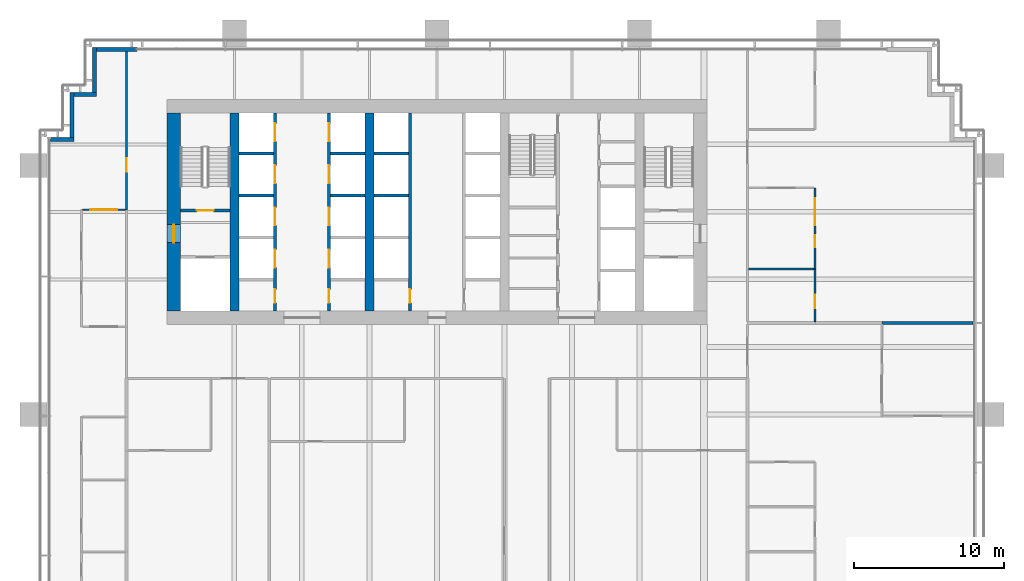
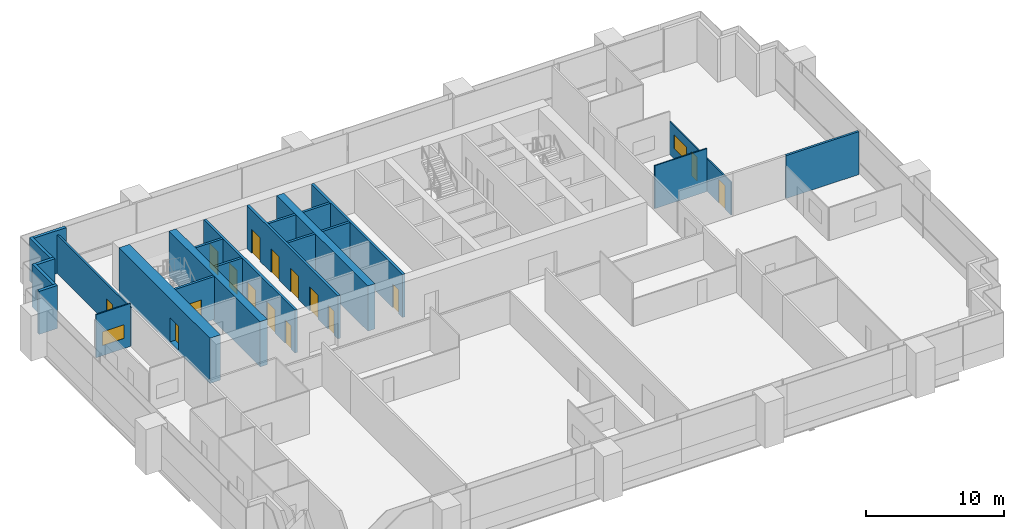
# One storey, part 14 of 19: 24 walls, 16 doors, 2 windows, 18 openings.
"""IFC4 building model written with IfcOpenShell, lengths in metres."""

from ifc_helpers import new_model, si_unit, direction, frame, frame_2d, origin, place, context, subcontext, project, spatial, rectangle, extrude, material, layer, layer_set, type_object, element, fill, save


model = new_model("IFC4")

# Units and contexts
model_context = context("Model", 3, precision=1e-05, world=origin(), true_north=direction((0.0, 1.0)))
body_context = subcontext(model_context, "Body", "Model", "MODEL_VIEW")
ifc_project = project(units=[si_unit("LENGTHUNIT", "METRE"), si_unit("AREAUNIT", "SQUARE_METRE"), si_unit("VOLUMEUNIT", "CUBIC_METRE"), si_unit("PLANEANGLEUNIT", "RADIAN"), si_unit("MASSUNIT", "GRAM", prefix="KILO")], contexts=[model_context])

# Site, building, storey
site_placement = place(None, origin())
site = spatial("IfcSite", under=ifc_project, at=site_placement, CompositionType="ELEMENT")
building_placement = place(site_placement, origin())
building = spatial("IfcBuilding", under=site, at=building_placement, Name="Rattan Terrace Tower", CompositionType="ELEMENT")
storey_placement = place(building_placement, frame((0.0, 0.0, 99.699951171875)))
storey = spatial("IfcBuildingStorey", under=building, at=storey_placement, Name="L22", CompositionType="ELEMENT", Elevation=99.699951171875)

# Wall, opening, door
ifc_material_1 = material(Name="Gypsum board partition")
ifc_layer_1 = layer(ifc_material_1, 0.199951171875)
ifc_layer_set_1 = layer_set([ifc_layer_1], Name="Core partition 200")
wall_type_1 = type_object("IfcWallType", Name="Core partition 200", PredefinedType="PARTITIONING", material=ifc_layer_set_1)
wall_1_placement = place(storey_placement, frame((-17.10009765625, 0.10009765625, 0.0), z_axis=(0.0, 0.0, 1.0), x_axis=(1.0, 0.0, 0.0)))
wall_1 = element("IfcWall", 1, at=wall_1_placement, inside=storey, type_object=wall_type_1, Name="Stair enclosure wall", PredefinedType="PARTITIONING", context=body_context, shape_type="SweptSolid", body=[
    extrude(rectangle(XDim=3.300048828125, YDim=0.199951171875, at=frame_2d((1.64990234375, 0.0))), origin(), (0.0, 0.0, 1.0), 3.800048828125),
])
opening_1_placement = place(wall_1_placement, frame((1.10009765625, 0.0, 0.0)))
opening_1 = element("IfcOpeningElement", 2, at=opening_1_placement, cuts=wall_1, Name="Opening L22-D002", PredefinedType="OPENING", context=body_context, shape_type="SweptSolid", body=[
    extrude(rectangle(XDim=1.10009765625, YDim=2.10009765625, at=frame_2d((0.550048828125, 1.050048828125))), frame((0.0, 0.110595703125, 0.0), z_axis=(0.0, -1.0, 0.0), x_axis=(1.0, 0.0, 0.0)), (0.0, 0.0, 1.0), 0.220947265625),
])
ifc_material_2 = material(Name="Hollow-metal fire door leaf")
door_type_1 = type_object("IfcDoorType", Name="Core stair door 1100", OperationType="NOTDEFINED", PredefinedType="DOOR", material=ifc_material_2)
door_1_placement = place(opening_1_placement, origin())
door_1 = element("IfcDoor", 3, at=door_1_placement, inside=storey, type_object=door_type_1, Name="Door L22-D002", OperationType="SINGLE_SWING_LEFT", OverallHeight=2.10009765625, OverallWidth=1.10009765625, PredefinedType="DOOR", context=body_context, shape_type="SweptSolid", body=[
    extrude(rectangle(XDim=1.10009765625, YDim=2.10009765625, at=frame_2d((0.550048828125, 1.050048828125))), frame((0.0, 0.02490234375, 0.0), z_axis=(0.0, -1.0, 0.0), x_axis=(1.0, 0.0, 0.0)), (0.0, 0.0, 1.0), 0.050048828125),
])
fill(opening_1, door_1)

ifc_material_3 = material(Name="Concrete C70/85", Category="concrete")
ifc_layer_2 = layer(ifc_material_3, 0.89990234375)
ifc_layer_set_2 = layer_set([ifc_layer_2], Name="Core ring wall 900 C70/85")
wall_type_2 = type_object("IfcWallType", Name="Core ring wall 900 C70/85", PredefinedType="SHEAR", material=ifc_layer_set_2)
wall_2_placement = place(storey_placement, frame((-17.550048828125, -6.60009765625, -0.199951171875), z_axis=(0.0, 0.0, 1.0), x_axis=(0.0, 1.0, 0.0)))
wall_2 = element("IfcWall", 4, at=wall_2_placement, inside=storey, type_object=wall_type_2, Name="Rear core wall west", PredefinedType="SHEAR", context=body_context, shape_type="SweptSolid", body=[
    extrude(rectangle(XDim=13.2001953125, YDim=0.89990234375, at=frame_2d((6.60009765625, 0.0))), origin(), (0.0, 0.0, 1.0), 4.0),
])
opening_2_placement = place(wall_2_placement, frame((4.550048828125, 0.0, 0.199951171875)))
opening_2 = element("IfcOpeningElement", 5, at=opening_2_placement, cuts=wall_2, Name="Opening L22-D001", PredefinedType="OPENING", context=body_context, shape_type="SweptSolid", body=[
    extrude(rectangle(XDim=1.199951171875, YDim=2.10009765625, at=frame_2d((0.60009765625, 1.050048828125))), frame((0.0, 0.46044921875, 0.0), z_axis=(0.0, -1.0, 0.0), x_axis=(1.0, 0.0, 0.0)), (0.0, 0.0, 1.0), 0.9208984375),
])
ifc_material_4 = material(Name="Hollow-metal fire door leaf")
door_type_2 = type_object("IfcDoorType", Name="Core fire-fighting lobby door 1200", OperationType="NOTDEFINED", PredefinedType="DOOR", material=ifc_material_4)
door_2_placement = place(opening_2_placement, origin())
door_2 = element("IfcDoor", 6, at=door_2_placement, inside=storey, type_object=door_type_2, Name="Door L22-D001", OperationType="SINGLE_SWING_RIGHT", OverallHeight=2.10009765625, OverallWidth=1.199951171875, PredefinedType="DOOR", context=body_context, shape_type="SweptSolid", body=[
    extrude(rectangle(XDim=1.199951171875, YDim=2.10009765625, at=frame_2d((0.60009765625, 1.050048828125))), frame((0.0, 0.02490234375, 0.0), z_axis=(0.0, -1.0, 0.0), x_axis=(1.0, 0.0, 0.0)), (0.0, 0.0, 1.0), 0.050048828125),
])
fill(opening_2, door_2)

# Walls
ifc_material_5 = material(Name="Concrete C70/85", Category="concrete")
ifc_layer_3 = layer(ifc_material_5, 0.60009765625)
ifc_layer_set_3 = layer_set([ifc_layer_3], Name="Core spine wall 600 C70/85")
wall_type_3 = type_object("IfcWallType", Name="Core spine wall 600 C70/85", PredefinedType="SHEAR", material=ifc_layer_set_3)
for number, where, z_axis, x_axis, name in (
    (7, (-13.5, -6.60009765625, -0.199951171875), (0.0, 0.0, 1.0), (0.0, 1.0, 0.0), "Core spine wall 1"),
    (8, (-4.5, -6.60009765625, -0.199951171875), (0.0, 0.0, 1.0), (0.0, 1.0, 0.0), "Core spine wall 2"),
):
    element("IfcWall", number, at=place(storey_placement, frame(where, z_axis=z_axis, x_axis=x_axis)), inside=storey, type_object=wall_type_3, Name=name, PredefinedType="SHEAR", context=body_context, shape_type="SweptSolid", body=[
        extrude(rectangle(XDim=13.2001953125, YDim=0.60009765625, at=frame_2d((6.60009765625, 0.0))), origin(), (0.0, 0.0, 1.0), 4.0),
    ])
ifc_material_6 = material(Name="Insulated aluminium-clad stud wall", Category="aluminium")
ifc_layer_4 = layer(ifc_material_6, 0.25)
ifc_layer_set_4 = layer_set([ifc_layer_4], Name="Facade Riser Wall 250")
wall_type_4 = type_object("IfcWallType", Name="Facade Riser Wall 250", PredefinedType="SOLIDWALL", material=ifc_layer_set_4)
wall_3_placement = place(storey_placement, frame((-20.0, 10.830078125, 0.0), z_axis=(0.0, 0.0, 1.0), x_axis=(-1.0, 0.0, 0.0)))
element("IfcWall", 9, at=wall_3_placement, inside=storey, type_object=wall_type_4, Name="Riser wall L22-11", PredefinedType="SOLIDWALL", context=body_context, shape_type="SweptSolid", body=[
    extrude(rectangle(XDim=2.705078125, YDim=0.25, at=frame_2d((1.3525390625, 0.0))), origin(), (0.0, 0.0, 1.0), 3.800048828125),
])
wall_4_placement = place(storey_placement, frame((-22.830078125, 10.955078125, 0.0), z_axis=(0.0, 0.0, 1.0), x_axis=(0.0, -1.0, 0.0)))
element("IfcWall", 10, at=wall_4_placement, inside=storey, type_object=wall_type_4, Name="Riser wall L22-12", PredefinedType="SOLIDWALL", context=body_context, shape_type="SweptSolid", body=[
    extrude(rectangle(XDim=3.0, YDim=0.25, at=frame_2d((1.5, 0.0))), origin(), (0.0, 0.0, 1.0), 3.800048828125),
])
wall_5_placement = place(storey_placement, frame((-22.705078125, 7.830078125, 0.0), z_axis=(0.0, 0.0, 1.0), x_axis=(-1.0, 0.0, 0.0)))
element("IfcWall", 11, at=wall_5_placement, inside=storey, type_object=wall_type_4, Name="Riser wall L22-13", PredefinedType="SOLIDWALL", context=body_context, shape_type="SweptSolid", body=[
    extrude(rectangle(XDim=1.5, YDim=0.25, at=frame_2d((0.75, 0.0))), origin(), (0.0, 0.0, 1.0), 3.800048828125),
])
wall_6_placement = place(storey_placement, frame((-24.330078125, 7.955078125, 0.0), z_axis=(0.0, 0.0, 1.0), x_axis=(0.0, -1.0, 0.0)))
element("IfcWall", 12, at=wall_6_placement, inside=storey, type_object=wall_type_4, Name="Riser wall L22-14", PredefinedType="SOLIDWALL", context=body_context, shape_type="SweptSolid", body=[
    extrude(rectangle(XDim=3.0, YDim=0.25, at=frame_2d((1.5, 0.0))), origin(), (0.0, 0.0, 1.0), 3.800048828125),
])
wall_7_placement = place(storey_placement, frame((-24.205078125, 4.830078125, 0.0), z_axis=(0.0, 0.0, 1.0), x_axis=(-1.0, 0.0, 0.0)))
element("IfcWall", 13, at=wall_7_placement, inside=storey, type_object=wall_type_4, Name="Riser wall L22-15", PredefinedType="SOLIDWALL", context=body_context, shape_type="SweptSolid", body=[
    extrude(rectangle(XDim=1.544921875, YDim=0.25, at=frame_2d((0.7724609375, 0.0))), origin(), (0.0, 0.0, 1.0), 3.800048828125),
])
ifc_material_7 = material(Name="Double steel stud acoustic partition, gypsum board, mineral wool, fire rated", Category="steel")
ifc_layer_5 = layer(ifc_material_7, 0.179931640625)
ifc_layer_set_5 = layer_set([ifc_layer_5], Name="Floors Acoustic Party Wall 180")
wall_type_5 = type_object("IfcWallType", Name="Floors Acoustic Party Wall 180", PredefinedType="PARTITIONING", material=ifc_layer_set_5)
wall_8_placement = place(storey_placement, frame((29.659912109375, -7.39990234375, 0.0), z_axis=(0.0, 0.0, 1.0), x_axis=(1.0, 0.0, 0.0)))
element("IfcWall", 14, at=wall_8_placement, inside=storey, type_object=wall_type_5, Name="pt-L22-045", PredefinedType="PARTITIONING", context=body_context, shape_type="SweptSolid", body=[
    extrude(rectangle(XDim=6.080078125, YDim=0.179931640625, at=frame_2d((3.0400390625, 0.0))), origin(), (0.0, 0.0, 1.0), 3.800048828125),
])

# Wall, opening, window
ifc_material_8 = material(Name="Gypsum board partition on steel studs", Category="steel")
ifc_layer_6 = layer(ifc_material_8, 0.10009765625)
ifc_layer_set_6 = layer_set([ifc_layer_6], Name="Floors Partition 100")
wall_type_6 = type_object("IfcWallType", Name="Floors Partition 100", PredefinedType="PARTITIONING", material=ifc_layer_set_6)
wall_9_placement = place(storey_placement, frame((-20.77490234375, 0.139892578125, 0.0), z_axis=(0.0, 0.0, 1.0), x_axis=(-1.0, 0.0, 0.0)))
wall_9 = element("IfcWall", 15, at=wall_9_placement, inside=storey, type_object=wall_type_6, Name="pt-L22-025", PredefinedType="PARTITIONING", context=body_context, shape_type="SweptSolid", body=[
    extrude(rectangle(XDim=2.875, YDim=0.10009765625, at=frame_2d((1.4375, 0.0))), origin(), (0.0, 0.0, 1.0), 3.800048828125),
])
opening_3_placement = place(wall_9_placement, frame((0.537109375, 0.0, 0.89990234375)))
opening_3 = element("IfcOpeningElement", 16, at=opening_3_placement, cuts=wall_9, Name="Opening L22-W102", PredefinedType="OPENING", context=body_context, shape_type="SweptSolid", body=[
    extrude(rectangle(XDim=1.800048828125, YDim=1.199951171875, at=frame_2d((0.89990234375, 0.60009765625))), frame((0.0, 0.060546875, 0.0), z_axis=(0.0, -1.0, 0.0), x_axis=(1.0, 0.0, 0.0)), (0.0, 0.0, 1.0), 0.12109375),
])
ifc_material_9 = material(Name="Glass, clear, fixed in aluminium frame", Category="aluminium")
window_type = type_object("IfcWindowType", Name="Interior Vision Window 1800x1200", PartitioningType="SINGLE_PANEL", PredefinedType="WINDOW", material=ifc_material_9)
window_1_placement = place(opening_3_placement, origin())
window_1 = element("IfcWindow", 17, at=window_1_placement, inside=storey, type_object=window_type, Name="w-L22-102", OverallHeight=1.199951171875, OverallWidth=1.800048828125, PartitioningType="SINGLE_PANEL", PredefinedType="WINDOW", context=body_context, shape_type="SweptSolid", body=[
    extrude(rectangle(XDim=1.800048828125, YDim=1.199951171875, at=frame_2d((0.89990234375, 0.60009765625))), frame((0.0, 0.030029296875, 0.0), z_axis=(0.0, -1.0, 0.0), x_axis=(1.0, 0.0, 0.0)), (0.0, 0.0, 1.0), 0.06005859375),
])
fill(opening_3, window_1)

# Wall, opening, door
wall_10_placement = place(storey_placement, frame((25.199951171875, -7.31005859375, 0.0), z_axis=(0.0, 0.0, 1.0), x_axis=(0.0, 1.0, 0.0)))
wall_10 = element("IfcWall", 18, at=wall_10_placement, inside=storey, type_object=wall_type_6, Name="pt-L22-051", PredefinedType="PARTITIONING", context=body_context, shape_type="SweptSolid", body=[
    extrude(rectangle(XDim=3.489990234375, YDim=0.10009765625, at=frame_2d((1.7451171875, 0.0))), origin(), (0.0, 0.0, 1.0), 2.900146484375),
])
opening_4_placement = place(wall_10_placement, frame((0.876953125, 0.0, 0.0)))
opening_4 = element("IfcOpeningElement", 19, at=opening_4_placement, cuts=wall_10, Name="Opening L22-D112", PredefinedType="OPENING", context=body_context, shape_type="SweptSolid", body=[
    extrude(rectangle(XDim=0.89990234375, YDim=2.10009765625, at=frame_2d((0.449951171875, 1.050048828125))), frame((0.0, 0.060546875, 0.0), z_axis=(0.0, -1.0, 0.0), x_axis=(1.0, 0.0, 0.0)), (0.0, 0.0, 1.0), 0.12109375),
])
ifc_material_10 = material(Name="Solid core timber door, painted", Category="wood")
door_type_3 = type_object("IfcDoorType", Name="Floors Door 900x2100", OperationType="NOTDEFINED", PredefinedType="DOOR", material=ifc_material_10)
door_3_placement = place(opening_4_placement, origin())
door_3 = element("IfcDoor", 20, at=door_3_placement, inside=storey, type_object=door_type_3, Name="d-L22-112", OperationType="SINGLE_SWING_LEFT", OverallHeight=2.10009765625, OverallWidth=0.89990234375, PredefinedType="DOOR", context=body_context, shape_type="SweptSolid", body=[
    extrude(rectangle(XDim=0.89990234375, YDim=2.10009765625, at=frame_2d((0.449951171875, 1.050048828125))), frame((0.0, 0.02490234375, 0.0), z_axis=(0.0, -1.0, 0.0), x_axis=(1.0, 0.0, 0.0)), (0.0, 0.0, 1.0), 0.050048828125),
])
fill(opening_4, door_3)

# Wall, openings, door, window
wall_11_placement = place(storey_placement, frame((25.199951171875, -3.820068359375, 0.0), z_axis=(0.0, 0.0, 1.0), x_axis=(0.0, 1.0, 0.0)))
wall_11 = element("IfcWall", 21, at=wall_11_placement, inside=storey, type_object=wall_type_6, Name="pt-L22-053", PredefinedType="PARTITIONING", context=body_context, shape_type="SweptSolid", body=[
    extrude(rectangle(XDim=5.420166015625, YDim=0.10009765625, at=frame_2d((2.7099609375, 0.0))), origin(), (0.0, 0.0, 1.0), 2.900146484375),
])
opening_5_placement = place(wall_11_placement, frame((1.486083984375, 0.0, 0.0)))
opening_5 = element("IfcOpeningElement", 22, at=opening_5_placement, cuts=wall_11, Name="Opening L22-D113", PredefinedType="OPENING", context=body_context, shape_type="SweptSolid", body=[
    extrude(rectangle(XDim=0.800048828125, YDim=2.10009765625, at=frame_2d((0.39990234375, 1.050048828125))), frame((0.0, 0.060546875, 0.0), z_axis=(0.0, -1.0, 0.0), x_axis=(1.0, 0.0, 0.0)), (0.0, 0.0, 1.0), 0.12109375),
])
opening_6_placement = place(wall_11_placement, frame((2.927978515625, 0.0, 0.89990234375)))
opening_6 = element("IfcOpeningElement", 23, at=opening_6_placement, cuts=wall_11, Name="Opening L22-W106", PredefinedType="OPENING", context=body_context, shape_type="SweptSolid", body=[
    extrude(rectangle(XDim=1.800048828125, YDim=1.199951171875, at=frame_2d((0.89990234375, 0.60009765625))), frame((0.0, 0.060546875, 0.0), z_axis=(0.0, -1.0, 0.0), x_axis=(1.0, 0.0, 0.0)), (0.0, 0.0, 1.0), 0.12109375),
])
ifc_material_11 = material(Name="Solid core timber door, painted", Category="wood")
door_type_4 = type_object("IfcDoorType", Name="Floors Store Door 800x2100", OperationType="NOTDEFINED", PredefinedType="DOOR", material=ifc_material_11)
door_4_placement = place(opening_5_placement, origin())
door_4 = element("IfcDoor", 24, at=door_4_placement, inside=storey, type_object=door_type_4, Name="d-L22-113", OperationType="SINGLE_SWING_LEFT", OverallHeight=2.10009765625, OverallWidth=0.800048828125, PredefinedType="DOOR", context=body_context, shape_type="SweptSolid", body=[
    extrude(rectangle(XDim=0.800048828125, YDim=2.10009765625, at=frame_2d((0.39990234375, 1.050048828125))), frame((0.0, 0.02490234375, 0.0), z_axis=(0.0, -1.0, 0.0), x_axis=(1.0, 0.0, 0.0)), (0.0, 0.0, 1.0), 0.050048828125),
])
fill(opening_5, door_4)
window_2_placement = place(opening_6_placement, origin())
window_2 = element("IfcWindow", 25, at=window_2_placement, inside=storey, type_object=window_type, Name="w-L22-106", OverallHeight=1.199951171875, OverallWidth=1.800048828125, PartitioningType="SINGLE_PANEL", PredefinedType="WINDOW", context=body_context, shape_type="SweptSolid", body=[
    extrude(rectangle(XDim=1.800048828125, YDim=1.199951171875, at=frame_2d((0.89990234375, 0.60009765625))), frame((0.0, 0.030029296875, 0.0), z_axis=(0.0, -1.0, 0.0), x_axis=(1.0, 0.0, 0.0)), (0.0, 0.0, 1.0), 0.06005859375),
])
fill(opening_6, window_2)

# Wall
wall_12_placement = place(storey_placement, frame((20.77490234375, -3.800048828125, 0.0), z_axis=(0.0, 0.0, 1.0), x_axis=(1.0, 0.0, 0.0)))
element("IfcWall", 26, at=wall_12_placement, inside=storey, type_object=wall_type_6, Name="pt-L22-056", PredefinedType="PARTITIONING", context=body_context, shape_type="SweptSolid", body=[
    extrude(rectangle(XDim=4.375, YDim=0.10009765625, at=frame_2d((2.1875, 0.0))), origin(), (0.0, 0.0, 1.0), 3.800048828125),
])

# Wall, opening, door
ifc_material_12 = material(Name="Gypsum board partition on steel studs, fire rated", Category="steel")
ifc_layer_7 = layer(ifc_material_12, 0.14990234375)
ifc_layer_set_7 = layer_set([ifc_layer_7], Name="Floors Tenancy Wall 150")
wall_type_7 = type_object("IfcWallType", Name="Floors Tenancy Wall 150", PredefinedType="PARTITIONING", material=ifc_layer_set_7)
wall_13_placement = place(storey_placement, frame((-20.699951171875, 0.1201171875, 0.0), z_axis=(0.0, 0.0, 1.0), x_axis=(0.0, 1.0, 0.0)))
wall_13 = element("IfcWall", 27, at=wall_13_placement, inside=storey, type_object=wall_type_7, Name="pt-L22-002", PredefinedType="PARTITIONING", context=body_context, shape_type="SweptSolid", body=[
    extrude(rectangle(XDim=10.619873046875, YDim=0.14990234375, at=frame_2d((5.31005859375, 0.0))), origin(), (0.0, 0.0, 1.0), 3.400146484375),
])
opening_7_placement = place(wall_13_placement, frame((2.554931640625, 0.0, 0.0)))
opening_7 = element("IfcOpeningElement", 28, at=opening_7_placement, cuts=wall_13, Name="Opening L22-D100", PredefinedType="OPENING", context=body_context, shape_type="SweptSolid", body=[
    extrude(rectangle(XDim=0.89990234375, YDim=2.10009765625, at=frame_2d((0.449951171875, 1.050048828125))), frame((0.0, 0.08544921875, 0.0), z_axis=(0.0, -1.0, 0.0), x_axis=(1.0, 0.0, 0.0)), (0.0, 0.0, 1.0), 0.1708984375),
])
ifc_material_13 = material(Name="Steel fire door set", Category="steel")
door_type_5 = type_object("IfcDoorType", Name="Floors Fire Door FD30S 900x2100", OperationType="NOTDEFINED", PredefinedType="DOOR", material=ifc_material_13)
door_5_placement = place(opening_7_placement, origin())
door_5 = element("IfcDoor", 29, at=door_5_placement, inside=storey, type_object=door_type_5, Name="d-L22-100", OperationType="SINGLE_SWING_LEFT", OverallHeight=2.10009765625, OverallWidth=0.89990234375, PredefinedType="DOOR", context=body_context, shape_type="SweptSolid", body=[
    extrude(rectangle(XDim=0.89990234375, YDim=2.10009765625, at=frame_2d((0.449951171875, 1.050048828125))), frame((0.0, 0.02490234375, 0.0), z_axis=(0.0, -1.0, 0.0), x_axis=(1.0, 0.0, 0.0)), (0.0, 0.0, 1.0), 0.050048828125),
])
fill(opening_7, door_5)

# Wall, openings, doors
ifc_material_14 = material(Name="Gypsum shaft wall system")
ifc_layer_8 = layer(ifc_material_14, 0.199951171875)
ifc_layer_set_8 = layer_set([ifc_layer_8], Name="Lift shaft wall 200")
wall_type_8 = type_object("IfcWallType", Name="Lift shaft wall 200", PredefinedType="PARTITIONING", material=ifc_layer_set_8)
wall_14_placement = place(storey_placement, frame((-10.800048828125, -6.60009765625, 0.0), z_axis=(0.0, 0.0, 1.0), x_axis=(0.0, 1.0, 0.0)))
wall_14 = element("IfcWall", 30, at=wall_14_placement, inside=storey, type_object=wall_type_8, Name="Lift shaft front wall", PredefinedType="PARTITIONING", context=body_context, shape_type="SweptSolid", body=[
    extrude(rectangle(XDim=13.2001953125, YDim=0.199951171875, at=frame_2d((6.60009765625, 0.0))), origin(), (0.0, 0.0, 1.0), 3.800048828125),
])
opening_8_placement = place(wall_14_placement, frame((0.550048828125, 0.0, 0.0)))
opening_8 = element("IfcOpeningElement", 31, at=opening_8_placement, cuts=wall_14, Name="Opening L22-D005", PredefinedType="OPENING", context=body_context, shape_type="SweptSolid", body=[
    extrude(rectangle(XDim=0.89990234375, YDim=2.10009765625, at=frame_2d((0.449951171875, 1.050048828125))), frame((0.0, 0.110595703125, 0.0), z_axis=(0.0, -1.0, 0.0), x_axis=(1.0, 0.0, 0.0)), (0.0, 0.0, 1.0), 0.220947265625),
])
opening_9_placement = place(wall_14_placement, frame((2.89990234375, 0.0, 0.0)))
opening_9 = element("IfcOpeningElement", 32, at=opening_9_placement, cuts=wall_14, Name="Opening L22-LD-LR1", PredefinedType="OPENING", context=body_context, shape_type="SweptSolid", body=[
    extrude(rectangle(XDim=1.199951171875, YDim=2.10009765625, at=frame_2d((0.60009765625, 1.050048828125))), frame((0.0, 0.110595703125, 0.0), z_axis=(0.0, -1.0, 0.0), x_axis=(1.0, 0.0, 0.0)), (0.0, 0.0, 1.0), 0.220947265625),
])
opening_10_placement = place(wall_14_placement, frame((5.699951171875, 0.0, 0.0)))
opening_10 = element("IfcOpeningElement", 33, at=opening_10_placement, cuts=wall_14, Name="Opening L22-LD-LR2", PredefinedType="OPENING", context=body_context, shape_type="SweptSolid", body=[
    extrude(rectangle(XDim=1.199951171875, YDim=2.10009765625, at=frame_2d((0.60009765625, 1.050048828125))), frame((0.0, 0.110595703125, 0.0), z_axis=(0.0, -1.0, 0.0), x_axis=(1.0, 0.0, 0.0)), (0.0, 0.0, 1.0), 0.220947265625),
])
opening_11_placement = place(wall_14_placement, frame((8.5, 0.0, 0.0)))
opening_11 = element("IfcOpeningElement", 34, at=opening_11_placement, cuts=wall_14, Name="Opening L22-LD-LR3", PredefinedType="OPENING", context=body_context, shape_type="SweptSolid", body=[
    extrude(rectangle(XDim=1.199951171875, YDim=2.10009765625, at=frame_2d((0.60009765625, 1.050048828125))), frame((0.0, 0.110595703125, 0.0), z_axis=(0.0, -1.0, 0.0), x_axis=(1.0, 0.0, 0.0)), (0.0, 0.0, 1.0), 0.220947265625),
])
opening_12_placement = place(wall_14_placement, frame((11.300048828125, 0.0, 0.0)))
opening_12 = element("IfcOpeningElement", 35, at=opening_12_placement, cuts=wall_14, Name="Opening L22-LD-LR4", PredefinedType="OPENING", context=body_context, shape_type="SweptSolid", body=[
    extrude(rectangle(XDim=1.199951171875, YDim=2.10009765625, at=frame_2d((0.60009765625, 1.050048828125))), frame((0.0, 0.110595703125, 0.0), z_axis=(0.0, -1.0, 0.0), x_axis=(1.0, 0.0, 0.0)), (0.0, 0.0, 1.0), 0.220947265625),
])
ifc_material_15 = material(Name="Brushed stainless landing door panel")
door_type_6 = type_object("IfcDoorType", Name="Core lift landing door 1200", OperationType="DOUBLE_DOOR_SLIDING", PredefinedType="DOOR", material=ifc_material_15)
door_6_placement = place(opening_9_placement, origin())
door_6 = element("IfcDoor", 36, at=door_6_placement, inside=storey, type_object=door_type_6, Name="Door L22-LD-LR1", OperationType="DOUBLE_DOOR_SLIDING", OverallHeight=2.10009765625, OverallWidth=1.199951171875, PredefinedType="DOOR", context=body_context, shape_type="SweptSolid", body=[
    extrude(rectangle(XDim=1.199951171875, YDim=2.10009765625, at=frame_2d((0.60009765625, 1.050048828125))), frame((0.0, 0.02490234375, 0.0), z_axis=(0.0, -1.0, 0.0), x_axis=(1.0, 0.0, 0.0)), (0.0, 0.0, 1.0), 0.050048828125),
])
fill(opening_9, door_6)
door_7_placement = place(opening_10_placement, origin())
door_7 = element("IfcDoor", 37, at=door_7_placement, inside=storey, type_object=door_type_6, Name="Door L22-LD-LR2", OperationType="DOUBLE_DOOR_SLIDING", OverallHeight=2.10009765625, OverallWidth=1.199951171875, PredefinedType="DOOR", context=body_context, shape_type="SweptSolid", body=[
    extrude(rectangle(XDim=1.199951171875, YDim=2.10009765625, at=frame_2d((0.60009765625, 1.050048828125))), frame((0.0, 0.02490234375, 0.0), z_axis=(0.0, -1.0, 0.0), x_axis=(1.0, 0.0, 0.0)), (0.0, 0.0, 1.0), 0.050048828125),
])
fill(opening_10, door_7)
door_8_placement = place(opening_11_placement, origin())
door_8 = element("IfcDoor", 38, at=door_8_placement, inside=storey, type_object=door_type_6, Name="Door L22-LD-LR3", OperationType="DOUBLE_DOOR_SLIDING", OverallHeight=2.10009765625, OverallWidth=1.199951171875, PredefinedType="DOOR", context=body_context, shape_type="SweptSolid", body=[
    extrude(rectangle(XDim=1.199951171875, YDim=2.10009765625, at=frame_2d((0.60009765625, 1.050048828125))), frame((0.0, 0.02490234375, 0.0), z_axis=(0.0, -1.0, 0.0), x_axis=(1.0, 0.0, 0.0)), (0.0, 0.0, 1.0), 0.050048828125),
])
fill(opening_11, door_8)
door_9_placement = place(opening_12_placement, origin())
door_9 = element("IfcDoor", 39, at=door_9_placement, inside=storey, type_object=door_type_6, Name="Door L22-LD-LR4", OperationType="DOUBLE_DOOR_SLIDING", OverallHeight=2.10009765625, OverallWidth=1.199951171875, PredefinedType="DOOR", context=body_context, shape_type="SweptSolid", body=[
    extrude(rectangle(XDim=1.199951171875, YDim=2.10009765625, at=frame_2d((0.60009765625, 1.050048828125))), frame((0.0, 0.02490234375, 0.0), z_axis=(0.0, -1.0, 0.0), x_axis=(1.0, 0.0, 0.0)), (0.0, 0.0, 1.0), 0.050048828125),
])
fill(opening_12, door_9)
ifc_material_16 = material(Name="Hollow-metal fire door leaf")
door_type_7 = type_object("IfcDoorType", Name="Core riser door 900", OperationType="NOTDEFINED", PredefinedType="DOOR", material=ifc_material_16)
door_10_placement = place(opening_8_placement, origin())
door_10 = element("IfcDoor", 40, at=door_10_placement, inside=storey, type_object=door_type_7, Name="Door L22-D005", OperationType="SINGLE_SWING_RIGHT", OverallHeight=2.10009765625, OverallWidth=0.89990234375, PredefinedType="DOOR", context=body_context, shape_type="SweptSolid", body=[
    extrude(rectangle(XDim=0.89990234375, YDim=2.10009765625, at=frame_2d((0.449951171875, 1.050048828125))), frame((0.0, 0.02490234375, 0.0), z_axis=(0.0, -1.0, 0.0), x_axis=(1.0, 0.0, 0.0)), (0.0, 0.0, 1.0), 0.050048828125),
])
fill(opening_8, door_10)

wall_15_placement = place(storey_placement, frame((-7.199951171875, -6.60009765625, 0.0), z_axis=(0.0, 0.0, 1.0), x_axis=(0.0, 1.0, 0.0)))
wall_15 = element("IfcWall", 41, at=wall_15_placement, inside=storey, type_object=wall_type_8, Name="Lift shaft front wall", PredefinedType="PARTITIONING", context=body_context, shape_type="SweptSolid", body=[
    extrude(rectangle(XDim=13.2001953125, YDim=0.199951171875, at=frame_2d((6.60009765625, 0.0))), origin(), (0.0, 0.0, 1.0), 3.800048828125),
])
opening_13_placement = place(wall_15_placement, frame((0.550048828125, 0.0, 0.0)))
opening_13 = element("IfcOpeningElement", 42, at=opening_13_placement, cuts=wall_15, Name="Opening L22-D006", PredefinedType="OPENING", context=body_context, shape_type="SweptSolid", body=[
    extrude(rectangle(XDim=0.89990234375, YDim=2.10009765625, at=frame_2d((0.449951171875, 1.050048828125))), frame((0.0, 0.110595703125, 0.0), z_axis=(0.0, -1.0, 0.0), x_axis=(1.0, 0.0, 0.0)), (0.0, 0.0, 1.0), 0.220947265625),
])
opening_14_placement = place(wall_15_placement, frame((2.89990234375, 0.0, 0.0)))
opening_14 = element("IfcOpeningElement", 43, at=opening_14_placement, cuts=wall_15, Name="Opening L22-LD-LR5", PredefinedType="OPENING", context=body_context, shape_type="SweptSolid", body=[
    extrude(rectangle(XDim=1.199951171875, YDim=2.10009765625, at=frame_2d((0.60009765625, 1.050048828125))), frame((0.0, 0.110595703125, 0.0), z_axis=(0.0, -1.0, 0.0), x_axis=(1.0, 0.0, 0.0)), (0.0, 0.0, 1.0), 0.220947265625),
])
opening_15_placement = place(wall_15_placement, frame((5.699951171875, 0.0, 0.0)))
opening_15 = element("IfcOpeningElement", 44, at=opening_15_placement, cuts=wall_15, Name="Opening L22-LD-LR6", PredefinedType="OPENING", context=body_context, shape_type="SweptSolid", body=[
    extrude(rectangle(XDim=1.199951171875, YDim=2.10009765625, at=frame_2d((0.60009765625, 1.050048828125))), frame((0.0, 0.110595703125, 0.0), z_axis=(0.0, -1.0, 0.0), x_axis=(1.0, 0.0, 0.0)), (0.0, 0.0, 1.0), 0.220947265625),
])
opening_16_placement = place(wall_15_placement, frame((8.5, 0.0, 0.0)))
opening_16 = element("IfcOpeningElement", 45, at=opening_16_placement, cuts=wall_15, Name="Opening L22-LD-LR7", PredefinedType="OPENING", context=body_context, shape_type="SweptSolid", body=[
    extrude(rectangle(XDim=1.199951171875, YDim=2.10009765625, at=frame_2d((0.60009765625, 1.050048828125))), frame((0.0, 0.110595703125, 0.0), z_axis=(0.0, -1.0, 0.0), x_axis=(1.0, 0.0, 0.0)), (0.0, 0.0, 1.0), 0.220947265625),
])
opening_17_placement = place(wall_15_placement, frame((11.300048828125, 0.0, 0.0)))
opening_17 = element("IfcOpeningElement", 46, at=opening_17_placement, cuts=wall_15, Name="Opening L22-LD-LR8", PredefinedType="OPENING", context=body_context, shape_type="SweptSolid", body=[
    extrude(rectangle(XDim=1.199951171875, YDim=2.10009765625, at=frame_2d((0.60009765625, 1.050048828125))), frame((0.0, 0.110595703125, 0.0), z_axis=(0.0, -1.0, 0.0), x_axis=(1.0, 0.0, 0.0)), (0.0, 0.0, 1.0), 0.220947265625),
])
door_11_placement = place(opening_14_placement, origin())
door_11 = element("IfcDoor", 47, at=door_11_placement, inside=storey, type_object=door_type_6, Name="Door L22-LD-LR5", OperationType="DOUBLE_DOOR_SLIDING", OverallHeight=2.10009765625, OverallWidth=1.199951171875, PredefinedType="DOOR", context=body_context, shape_type="SweptSolid", body=[
    extrude(rectangle(XDim=1.199951171875, YDim=2.10009765625, at=frame_2d((0.60009765625, 1.050048828125))), frame((0.0, 0.02490234375, 0.0), z_axis=(0.0, -1.0, 0.0), x_axis=(1.0, 0.0, 0.0)), (0.0, 0.0, 1.0), 0.050048828125),
])
fill(opening_14, door_11)
door_12_placement = place(opening_15_placement, origin())
door_12 = element("IfcDoor", 48, at=door_12_placement, inside=storey, type_object=door_type_6, Name="Door L22-LD-LR6", OperationType="DOUBLE_DOOR_SLIDING", OverallHeight=2.10009765625, OverallWidth=1.199951171875, PredefinedType="DOOR", context=body_context, shape_type="SweptSolid", body=[
    extrude(rectangle(XDim=1.199951171875, YDim=2.10009765625, at=frame_2d((0.60009765625, 1.050048828125))), frame((0.0, 0.02490234375, 0.0), z_axis=(0.0, -1.0, 0.0), x_axis=(1.0, 0.0, 0.0)), (0.0, 0.0, 1.0), 0.050048828125),
])
fill(opening_15, door_12)
door_13_placement = place(opening_16_placement, origin())
door_13 = element("IfcDoor", 49, at=door_13_placement, inside=storey, type_object=door_type_6, Name="Door L22-LD-LR7", OperationType="DOUBLE_DOOR_SLIDING", OverallHeight=2.10009765625, OverallWidth=1.199951171875, PredefinedType="DOOR", context=body_context, shape_type="SweptSolid", body=[
    extrude(rectangle(XDim=1.199951171875, YDim=2.10009765625, at=frame_2d((0.60009765625, 1.050048828125))), frame((0.0, 0.02490234375, 0.0), z_axis=(0.0, -1.0, 0.0), x_axis=(1.0, 0.0, 0.0)), (0.0, 0.0, 1.0), 0.050048828125),
])
fill(opening_16, door_13)
door_14_placement = place(opening_17_placement, origin())
door_14 = element("IfcDoor", 50, at=door_14_placement, inside=storey, type_object=door_type_6, Name="Door L22-LD-LR8", OperationType="DOUBLE_DOOR_SLIDING", OverallHeight=2.10009765625, OverallWidth=1.199951171875, PredefinedType="DOOR", context=body_context, shape_type="SweptSolid", body=[
    extrude(rectangle(XDim=1.199951171875, YDim=2.10009765625, at=frame_2d((0.60009765625, 1.050048828125))), frame((0.0, 0.02490234375, 0.0), z_axis=(0.0, -1.0, 0.0), x_axis=(1.0, 0.0, 0.0)), (0.0, 0.0, 1.0), 0.050048828125),
])
fill(opening_17, door_14)
door_15_placement = place(opening_13_placement, origin())
door_15 = element("IfcDoor", 51, at=door_15_placement, inside=storey, type_object=door_type_7, Name="Door L22-D006", OperationType="SINGLE_SWING_LEFT", OverallHeight=2.10009765625, OverallWidth=0.89990234375, PredefinedType="DOOR", context=body_context, shape_type="SweptSolid", body=[
    extrude(rectangle(XDim=0.89990234375, YDim=2.10009765625, at=frame_2d((0.449951171875, 1.050048828125))), frame((0.0, 0.02490234375, 0.0), z_axis=(0.0, -1.0, 0.0), x_axis=(1.0, 0.0, 0.0)), (0.0, 0.0, 1.0), 0.050048828125),
])
fill(opening_13, door_15)

# Walls
for number, where, z_axis, x_axis, name in (
    (52, (-13.199951171875, 1.10009765625, 0.0), (0.0, 0.0, 1.0), (1.0, 0.0, 0.0), "Lift shaft wall"),
    (53, (-13.199951171875, 3.89990234375, 0.0), (0.0, 0.0, 1.0), (1.0, 0.0, 0.0), "Lift shaft wall"),
    (54, (-7.10009765625, 1.10009765625, 0.0), (0.0, 0.0, 1.0), (1.0, 0.0, 0.0), "Lift shaft wall"),
    (55, (-7.10009765625, 3.89990234375, 0.0), (0.0, 0.0, 1.0), (1.0, 0.0, 0.0), "Lift shaft wall"),
):
    element("IfcWall", number, at=place(storey_placement, frame(where, z_axis=z_axis, x_axis=x_axis)), inside=storey, type_object=wall_type_8, Name=name, PredefinedType="PARTITIONING", context=body_context, shape_type="SweptSolid", body=[
        extrude(rectangle(XDim=2.300048828125, YDim=0.199951171875, at=frame_2d((1.14990234375, 0.0))), origin(), (0.0, 0.0, 1.0), 3.800048828125),
    ])

# Wall, opening, door
wall_16_placement = place(storey_placement, frame((-1.800048828125, -6.60009765625, 0.0), z_axis=(0.0, 0.0, 1.0), x_axis=(0.0, 1.0, 0.0)))
wall_16 = element("IfcWall", 56, at=wall_16_placement, inside=storey, type_object=wall_type_8, Name="Lift shaft front wall", PredefinedType="PARTITIONING", context=body_context, shape_type="SweptSolid", body=[
    extrude(rectangle(XDim=13.2001953125, YDim=0.199951171875, at=frame_2d((6.60009765625, 0.0))), origin(), (0.0, 0.0, 1.0), 3.800048828125),
])
opening_18_placement = place(wall_16_placement, frame((0.550048828125, 0.0, 0.0)))
opening_18 = element("IfcOpeningElement", 57, at=opening_18_placement, cuts=wall_16, Name="Opening L22-D008", PredefinedType="OPENING", context=body_context, shape_type="SweptSolid", body=[
    extrude(rectangle(XDim=0.89990234375, YDim=2.10009765625, at=frame_2d((0.449951171875, 1.050048828125))), frame((0.0, 0.110595703125, 0.0), z_axis=(0.0, -1.0, 0.0), x_axis=(1.0, 0.0, 0.0)), (0.0, 0.0, 1.0), 0.220947265625),
])
door_16_placement = place(opening_18_placement, origin())
door_16 = element("IfcDoor", 58, at=door_16_placement, inside=storey, type_object=door_type_7, Name="Door L22-D008", OperationType="SINGLE_SWING_RIGHT", OverallHeight=2.10009765625, OverallWidth=0.89990234375, PredefinedType="DOOR", context=body_context, shape_type="SweptSolid", body=[
    extrude(rectangle(XDim=0.89990234375, YDim=2.10009765625, at=frame_2d((0.449951171875, 1.050048828125))), frame((0.0, 0.02490234375, 0.0), z_axis=(0.0, -1.0, 0.0), x_axis=(1.0, 0.0, 0.0)), (0.0, 0.0, 1.0), 0.050048828125),
])
fill(opening_18, door_16)

# Walls
for number, where, z_axis, x_axis, name in (
    (59, (-4.199951171875, 1.10009765625, 0.0), (0.0, 0.0, 1.0), (1.0, 0.0, 0.0), "Lift shaft wall"),
    (60, (-4.199951171875, 3.89990234375, 0.0), (0.0, 0.0, 1.0), (1.0, 0.0, 0.0), "Lift shaft wall"),
):
    element("IfcWall", number, at=place(storey_placement, frame(where, z_axis=z_axis, x_axis=x_axis)), inside=storey, type_object=wall_type_8, Name=name, PredefinedType="PARTITIONING", context=body_context, shape_type="SweptSolid", body=[
        extrude(rectangle(XDim=2.300048828125, YDim=0.199951171875, at=frame_2d((1.14990234375, 0.0))), origin(), (0.0, 0.0, 1.0), 3.800048828125),
    ])

save(model, "model.ifc")
